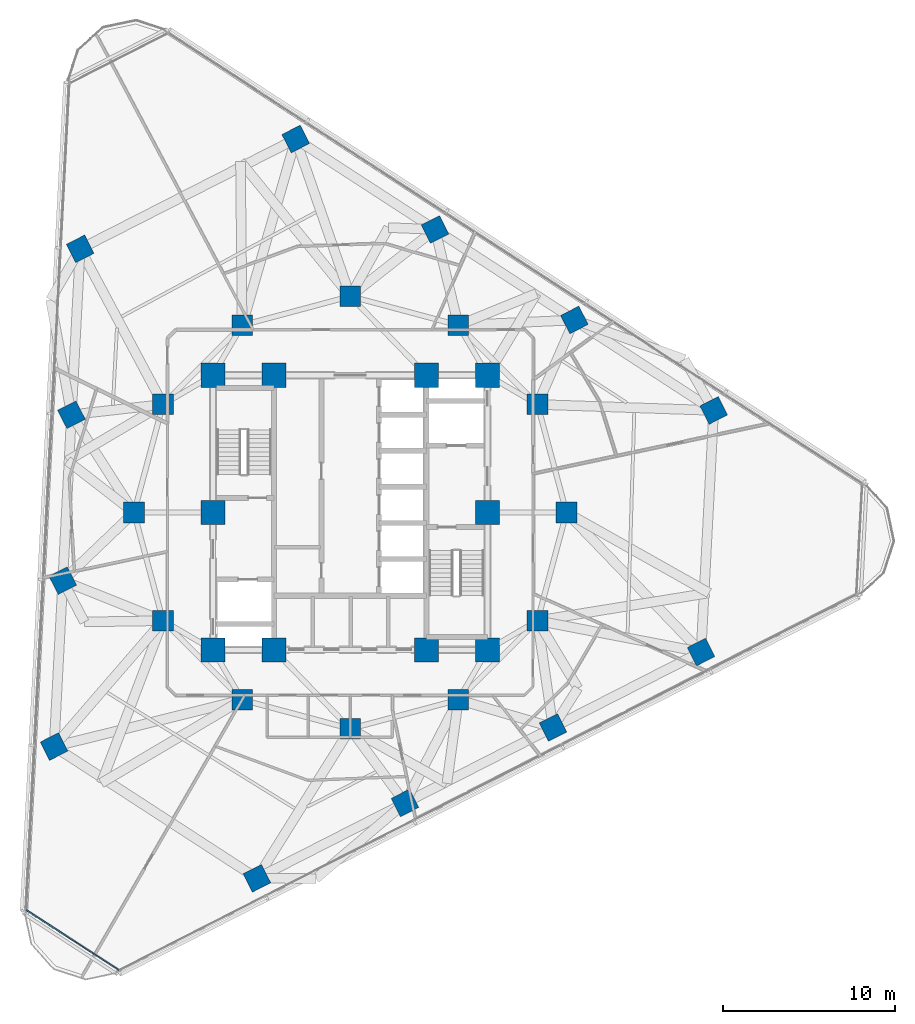
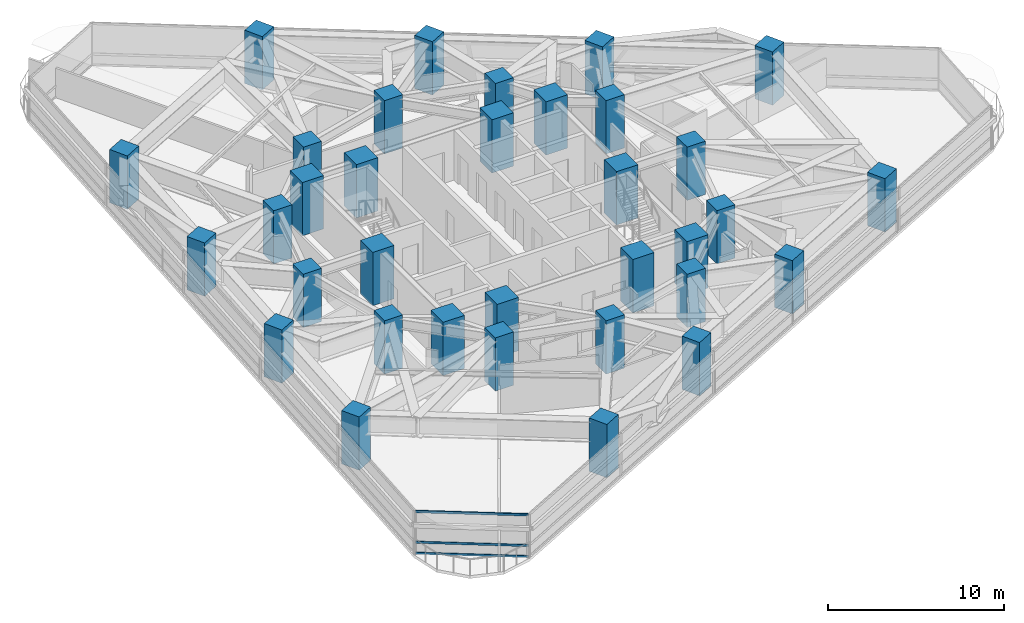
# One storey, part 1 of 15: 34 columns, 3 members, 1 element without a shape of its own.
"""IFC4 building model written with IfcOpenShell, lengths in metres."""

from ifc_helpers import new_model, si_unit, direction, frame, origin, origin_2d, place, context, subcontext, project, spatial, rectangle, extrude, material, layer, layer_set, material_profile, profile_set, type_object, element, aggregate, save


model = new_model("IFC4")

# Units and contexts
model_context = context("Model", 3, precision=1e-05, world=origin(), true_north=direction((0.0, 1.0)))
body_context = subcontext(model_context, "Body", "Model", "MODEL_VIEW")
ifc_project = project(units=[si_unit("LENGTHUNIT", "METRE"), si_unit("AREAUNIT", "SQUARE_METRE"), si_unit("VOLUMEUNIT", "CUBIC_METRE"), si_unit("PLANEANGLEUNIT", "RADIAN"), si_unit("MASSUNIT", "GRAM", prefix="KILO")], contexts=[model_context])

# Site, building, storey
site_placement = place(None, origin())
site = spatial("IfcSite", under=ifc_project, at=site_placement, CompositionType="ELEMENT")
building_placement = place(site_placement, origin())
building = spatial("IfcBuilding", under=site, at=building_placement, Name="Terralouvre Media Tower", CompositionType="ELEMENT")
storey_placement = place(building_placement, frame((0.0, 0.0, 145.800048828125)))
storey = spatial("IfcBuildingStorey", under=building, at=storey_placement, Name="L37", CompositionType="ELEMENT", Elevation=145.800048828125)

# Columns
ifc_material_1 = material(Name="Concrete C60/75", Category="concrete")
ifc_material_profile_1 = material_profile(ifc_material_1, rectangle(XDim=1.199951171875, YDim=1.199951171875, at=origin_2d()), Name="RC 1200x1200")
ifc_profile_set_1 = profile_set([ifc_material_profile_1], Name="Concrete C60/75")
column_type_1 = type_object("IfcColumnType", Name="Structural Column C-RC1200 (RC 1200x1200)", PredefinedType="COLUMN", material=ifc_profile_set_1)
for number, where, z_axis, x_axis, name in (
    (1, (12.60009765625, 0.0, 0.0), (0.0, 0.0, 1.0), (1.0, 0.0, 0.0), "L37 Mega-Frame Column MC01"),
    (2, (10.911865234375, 6.300048828125, 0.0), (0.0, 0.0, 1.0), (1.0, 0.0, 0.0), "L37 Mega-Frame Column MC02"),
    (3, (6.300048828125, 10.911865234375, 0.0), (0.0, 0.0, 1.0), (1.0, 0.0, 0.0), "L37 Mega-Frame Column MC03"),
    (4, (0.0, 12.60009765625, 0.0), (0.0, 0.0, 1.0), (1.0, 0.0, 0.0), "L37 Mega-Frame Column MC04"),
    (5, (-6.300048828125, 10.911865234375, 0.0), (0.0, 0.0, 1.0), (1.0, 0.0, 0.0), "L37 Mega-Frame Column MC05"),
    (6, (-10.911865234375, 6.300048828125, 0.0), (0.0, 0.0, 1.0), (1.0, 0.0, 0.0), "L37 Mega-Frame Column MC06"),
    (7, (-12.60009765625, 0.0, 0.0), (0.0, 0.0, 1.0), (1.0, 0.0, 0.0), "L37 Mega-Frame Column MC07"),
    (8, (-10.911865234375, -6.300048828125, 0.0), (0.0, 0.0, 1.0), (1.0, 0.0, 0.0), "L37 Mega-Frame Column MC08"),
    (9, (-6.300048828125, -10.911865234375, 0.0), (0.0, 0.0, 1.0), (1.0, 0.0, 0.0), "L37 Mega-Frame Column MC09"),
    (10, (0.0, -12.60009765625, 0.0), (0.0, 0.0, 1.0), (1.0, 0.0, 0.0), "L37 Mega-Frame Column MC10"),
    (11, (6.300048828125, -10.911865234375, 0.0), (0.0, 0.0, 1.0), (1.0, 0.0, 0.0), "L37 Mega-Frame Column MC11"),
    (12, (10.911865234375, -6.300048828125, 0.0), (0.0, 0.0, 1.0), (1.0, 0.0, 0.0), "L37 Mega-Frame Column MC12"),
    (13, (-5.4365234375, -21.31298828125, 0.0), (0.0, 0.0, 1.0), (0.891006524188, 0.45399049974, 0.0), "L37 Perimeter Mega-Column PC11"),
    (14, (3.188232421875, -16.91845703125, 0.0), (0.0, 0.0, 1.0), (0.891006524188, 0.45399049974, 0.0), "L37 Perimeter Mega-Column PC12"),
    (15, (11.813232421875, -12.523681640625, 0.0), (0.0, 0.0, 1.0), (0.891006524188, 0.45399049974, 0.0), "L37 Perimeter Mega-Column PC13"),
    (16, (20.438232421875, -8.129150390625, 0.0), (0.0, 0.0, 1.0), (0.891006524188, 0.45399049974, 0.0), "L37 Perimeter Mega-Column PC14"),
    (17, (21.176025390625, 5.9482421875, 0.0), (0.0, 0.0, 1.0), (0.891006524188, 0.45399049974, 0.0), "L37 Perimeter Mega-Column PC21"),
    (18, (13.0576171875, 11.220458984375, 0.0), (0.0, 0.0, 1.0), (0.891006524188, 0.45399049974, 0.0), "L37 Perimeter Mega-Column PC22"),
    (19, (4.939208984375, 16.492431640625, 0.0), (0.0, 0.0, 1.0), (0.891006524188, 0.45399049974, 0.0), "L37 Perimeter Mega-Column PC23"),
    (20, (-3.178955078125, 21.7646484375, 0.0), (0.0, 0.0, 1.0), (0.891006524188, 0.45399049974, 0.0), "L37 Perimeter Mega-Column PC24"),
    (21, (-15.7392578125, 15.36474609375, 0.0), (0.0, 0.0, 1.0), (0.891006524188, 0.45399049974, 0.0), "L37 Perimeter Mega-Column PC31"),
    (22, (-16.245849609375, 5.697998046875, 0.0), (0.0, 0.0, 1.0), (0.891006524188, 0.45399049974, 0.0), "L37 Perimeter Mega-Column PC32"),
    (23, (-16.75244140625, -3.96875, 0.0), (0.0, 0.0, 1.0), (0.891006524188, 0.45399049974, 0.0), "L37 Perimeter Mega-Column PC33"),
    (24, (-17.259033203125, -13.635498046875, 0.0), (0.0, 0.0, 1.0), (0.891006524188, 0.45399049974, 0.0), "L37 Perimeter Mega-Column PC34"),
):
    element("IfcColumn", number, at=place(storey_placement, frame(where, z_axis=z_axis, x_axis=x_axis)), inside=storey, type_object=column_type_1, Name=name, PredefinedType="COLUMN", context=body_context, shape_type="SweptSolid", body=[
        extrude(rectangle(XDim=1.199951171875, YDim=1.199951171875, at=origin_2d()), origin(), (0.0, 0.0, 1.0), 3.699951171875),
    ])
ifc_material_2 = material(Name="Concrete C60/75", Category="concrete")
ifc_material_profile_2 = material_profile(ifc_material_2, rectangle(XDim=1.39990234375, YDim=1.39990234375, at=origin_2d()), Name="RC 1400x1400")
ifc_profile_set_2 = profile_set([ifc_material_profile_2], Name="Concrete C60/75")
column_type_2 = type_object("IfcColumnType", Name="Structural Column C-RC1400 (RC 1400x1400)", PredefinedType="COLUMN", material=ifc_profile_set_2)
for number, where, z_axis, x_axis, name in (
    (25, (-8.0, -8.0, 0.0), (0.0, 0.0, 1.0), (1.0, 0.0, 0.0), "L37 Core Pilaster Column CP1"),
    (26, (-4.449951171875, -8.0, 0.0), (0.0, 0.0, 1.0), (1.0, 0.0, 0.0), "L37 Core Pilaster Column CP2"),
    (27, (4.449951171875, -8.0, 0.0), (0.0, 0.0, 1.0), (1.0, 0.0, 0.0), "L37 Core Pilaster Column CP10"),
    (28, (8.0, -8.0, 0.0), (0.0, 0.0, 1.0), (1.0, 0.0, 0.0), "L37 Core Pilaster Column CP3"),
    (29, (8.0, 0.0, 0.0), (0.0, 0.0, 1.0), (1.0, 0.0, 0.0), "L37 Core Pilaster Column CP4"),
    (30, (8.0, 8.0, 0.0), (0.0, 0.0, 1.0), (1.0, 0.0, 0.0), "L37 Core Pilaster Column CP5"),
    (31, (4.449951171875, 8.0, 0.0), (0.0, 0.0, 1.0), (1.0, 0.0, 0.0), "L37 Core Pilaster Column CP9"),
    (32, (-4.449951171875, 8.0, 0.0), (0.0, 0.0, 1.0), (1.0, 0.0, 0.0), "L37 Core Pilaster Column CP6"),
    (33, (-8.0, 8.0, 0.0), (0.0, 0.0, 1.0), (1.0, 0.0, 0.0), "L37 Core Pilaster Column CP7"),
    (34, (-8.0, 0.0, 0.0), (0.0, 0.0, 1.0), (1.0, 0.0, 0.0), "L37 Core Pilaster Column CP8"),
):
    element("IfcColumn", number, at=place(storey_placement, frame(where, z_axis=z_axis, x_axis=x_axis)), inside=storey, type_object=column_type_2, Name=name, PredefinedType="COLUMN", context=body_context, shape_type="SweptSolid", body=[
        extrude(rectangle(XDim=1.39990234375, YDim=1.39990234375, at=origin_2d()), origin(), (0.0, 0.0, 1.0), 3.699951171875),
    ])

# Curtain wall, members
ifc_material_3 = material(Name="Low-iron laminated double glazing with solar-control coating", Category="glass")
ifc_layer = layer(ifc_material_3, 0.1650390625, Name="Rounded Wind-Corner Curved Glazing CW-04")
ifc_layer_set = layer_set([ifc_layer], Name="Low-iron laminated double glazing with solar-control coating")
curtain_wall_type = type_object("IfcCurtainWallType", Name="Rounded Wind-Corner Curved Glazing CW-04", PredefinedType="NOTDEFINED", material=ifc_layer_set)
curtain_wall_placement = place(storey_placement, origin())
curtain_wall = element("IfcCurtainWall", 35, at=curtain_wall_placement, inside=storey, type_object=curtain_wall_type, Name="L37 Rounded Wind-Corner Curtain Wall C0", PredefinedType="NOTDEFINED")
ifc_material_4 = material(Name="Anodised extruded aluminium 6063-T6", Category="aluminium")
ifc_material_profile_3 = material_profile(ifc_material_4, rectangle(XDim=0.074951171875, YDim=0.14990234375, at=origin_2d()), Name="ALU 75x150")
ifc_profile_set_3 = profile_set([ifc_material_profile_3], Name="Anodised extruded aluminium 6063-T6")
member_type = type_object("IfcMemberType", Name="Curtain-Wall Horizontal Transom TR-150", PredefinedType="USERDEFINED", material=ifc_profile_set_3)
member_1_placement = place(storey_placement, frame((-18.875, -23.16015625, 0.037353515625), z_axis=(0.838682024338, -0.544621393311, 0.0), x_axis=(0.544621393311, 0.838682024338, 0.0)))
member_1 = element("IfcMember", 36, at=member_1_placement, type_object=member_type, Name="CW-04 transom 1.1", ObjectType="TRANSOM", PredefinedType="USERDEFINED", context=body_context, shape_type="SweptSolid", body=[
    extrude(rectangle(XDim=0.074951171875, YDim=0.14990234375, at=origin_2d()), origin(), (0.0, 0.0, 1.0), 6.431884765625),
])
member_2_placement = place(storey_placement, frame((-18.875, -23.16015625, 0.800048828125), z_axis=(0.838682024338, -0.544621393311, 0.0), x_axis=(0.544621393311, 0.838682024338, 0.0)))
member_2 = element("IfcMember", 37, at=member_2_placement, type_object=member_type, Name="CW-04 transom 1.2", ObjectType="TRANSOM", PredefinedType="USERDEFINED", context=body_context, shape_type="SweptSolid", body=[
    extrude(rectangle(XDim=0.074951171875, YDim=0.14990234375, at=origin_2d()), origin(), (0.0, 0.0, 1.0), 6.431884765625),
])
member_3_placement = place(storey_placement, frame((-18.875, -23.16015625, 2.92236328125), z_axis=(0.838682024338, -0.544621393311, 0.0), x_axis=(0.544621393311, 0.838682024338, 0.0)))
member_3 = element("IfcMember", 38, at=member_3_placement, type_object=member_type, Name="CW-04 transom 1.3", ObjectType="TRANSOM", PredefinedType="USERDEFINED", context=body_context, shape_type="SweptSolid", body=[
    extrude(rectangle(XDim=0.074951171875, YDim=0.14990234375, at=origin_2d()), origin(), (0.0, 0.0, 1.0), 6.431884765625),
])
aggregate(curtain_wall, [member_1, member_2, member_3])

save(model, "model.ifc")
